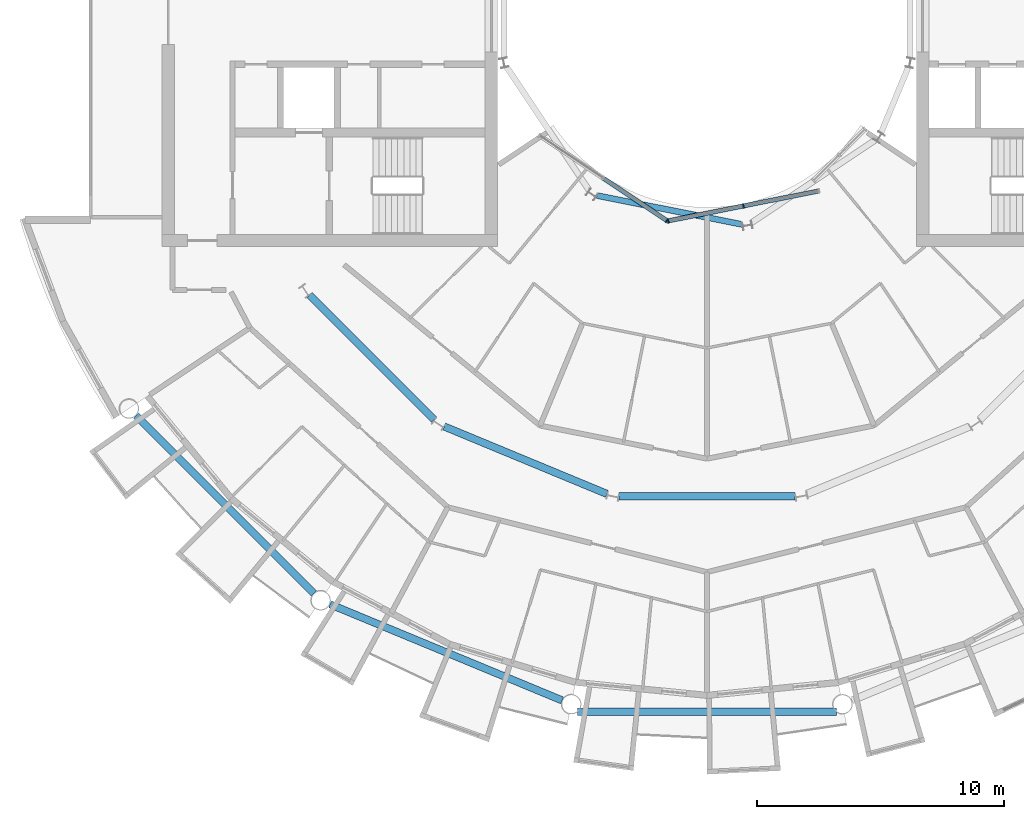
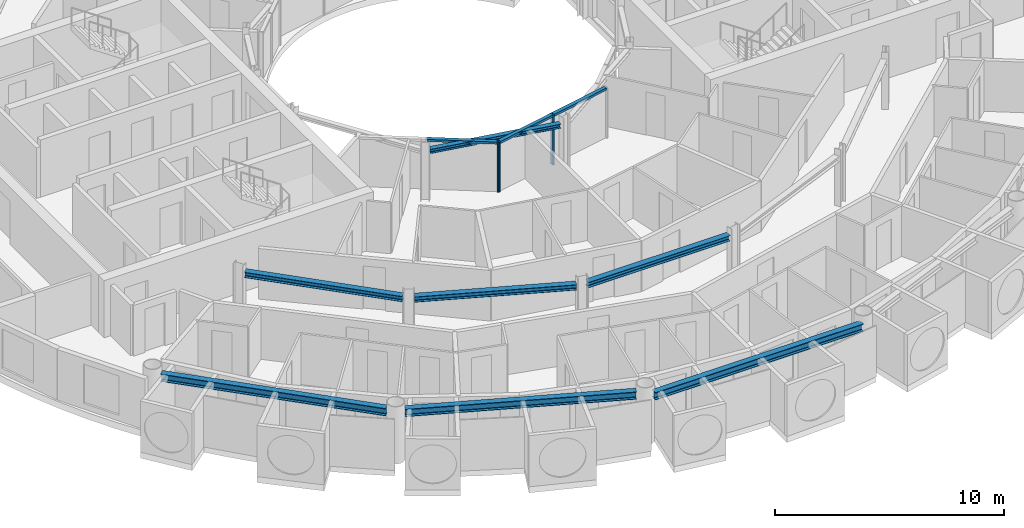
# One storey, part 5 of 27: 7 beams, 6 members, 2 elements without a shape of their own.
"""IFC4 building model written with IfcOpenShell, lengths in metres."""

from ifc_helpers import new_model, si_unit, direction, frame, origin, origin_2d, place, context, subcontext, project, spatial, rectangle, i_section, extrude, material, layer, layer_set, material_profile, profile_set, type_object, element, aggregate, save


model = new_model("IFC4")

# Units and contexts
model_context = context("Model", 3, precision=1e-05, world=origin(), true_north=direction((0.0, 1.0)))
body_context = subcontext(model_context, "Body", "Model", "MODEL_VIEW")
ifc_project = project(units=[si_unit("LENGTHUNIT", "METRE"), si_unit("AREAUNIT", "SQUARE_METRE"), si_unit("VOLUMEUNIT", "CUBIC_METRE"), si_unit("PLANEANGLEUNIT", "RADIAN"), si_unit("MASSUNIT", "GRAM", prefix="KILO")], contexts=[model_context])

# Site, building, storey
site_placement = place(None, origin())
site = spatial("IfcSite", under=ifc_project, at=site_placement, CompositionType="ELEMENT")
building_placement = place(site_placement, origin())
building = spatial("IfcBuilding", under=site, at=building_placement, Name="Maasbend Ring Residences", CompositionType="ELEMENT")
storey_placement = place(building_placement, frame((0.0, 0.0, 164.64990234375)))
storey = spatial("IfcBuildingStorey", under=building, at=storey_placement, Name="L47", CompositionType="ELEMENT", Elevation=164.64990234375)

# Curtain wall, member
ifc_material_1 = material(Name="Aluminium and clear glass", Category="aluminium")
ifc_layer = layer(ifc_material_1, 0.179931640625)
ifc_layer_set = layer_set([ifc_layer], Name="CW-W")
curtain_wall_type = type_object("IfcCurtainWallType", Name="CW-W", PredefinedType="NOTDEFINED", material=ifc_layer_set)
curtain_wall_1_placement = place(storey_placement, origin())
curtain_wall_1 = element("IfcCurtainWall", 1, at=curtain_wall_1_placement, inside=storey, type_object=curtain_wall_type, Name="Well curtain wall S1", PredefinedType="NOTDEFINED")
ifc_material_2 = material(Name="Aluminium 6063-T6", Category="aluminium")
ifc_material_profile_1 = material_profile(ifc_material_2, rectangle(XDim=0.179931640625, YDim=0.06005859375, at=origin_2d()), Name="AL 180x60")
ifc_profile_set_1 = profile_set([ifc_material_profile_1], Name="Aluminium 6063-T6")
member_type_1 = type_object("IfcMemberType", Name="CWM-W", PredefinedType="MULLION", material=ifc_profile_set_1)
member_1_placement = place(storey_placement, frame((-1.627685546875, -8.040771484375, 0.0), z_axis=(0.0, 0.0, 1.0), x_axis=(0.55557023302, 0.831469612303, 0.0)))
member_1 = element("IfcMember", 2, at=member_1_placement, type_object=member_type_1, Name="Mullion well face", PredefinedType="MULLION", context=body_context, shape_type="SweptSolid", body=[
    extrude(rectangle(XDim=0.179931640625, YDim=0.06005859375, at=origin_2d()), origin(), (0.0, 0.0, 1.0), 2.7001953125),
])

# Curtain wall, members
curtain_wall_2_placement = place(storey_placement, origin())
curtain_wall_2 = element("IfcCurtainWall", 3, at=curtain_wall_2_placement, inside=storey, type_object=curtain_wall_type, Name="Well curtain wall S2", PredefinedType="NOTDEFINED")
member_2_placement = place(storey_placement, frame((-1.5732421875, -8.0517578125, 0.0), z_axis=(0.0, 0.0, 1.0), x_axis=(-0.195090322016, 0.980785280403, 0.0)))
member_2 = element("IfcMember", 4, at=member_2_placement, type_object=member_type_1, Name="Mullion well face", PredefinedType="MULLION", context=body_context, shape_type="SweptSolid", body=[
    extrude(rectangle(XDim=0.179931640625, YDim=0.06005859375, at=origin_2d()), origin(), (0.0, 0.0, 1.0), 2.7001953125),
])
member_3_placement = place(storey_placement, frame((1.480712890625, -7.444091796875, 0.0), z_axis=(0.0, 0.0, 1.0), x_axis=(-0.195090322016, 0.980785280403, 0.0)))
member_3 = element("IfcMember", 5, at=member_3_placement, type_object=member_type_1, Name="Mullion well face", PredefinedType="MULLION", context=body_context, shape_type="SweptSolid", body=[
    extrude(rectangle(XDim=0.179931640625, YDim=0.06005859375, at=origin_2d()), origin(), (0.0, 0.0, 1.0), 2.7001953125),
])

# Member
ifc_material_3 = material(Name="Aluminium 6063-T6", Category="aluminium")
ifc_material_profile_2 = material_profile(ifc_material_3, rectangle(XDim=0.179931640625, YDim=0.1201171875, at=origin_2d()), Name="AL 180x120")
ifc_profile_set_2 = profile_set([ifc_material_profile_2], Name="Aluminium 6063-T6")
member_type_2 = type_object("IfcMemberType", Name="CWT-W", PredefinedType="USERDEFINED", material=ifc_profile_set_2)
member_4_placement = place(storey_placement, frame((-4.19189453125, -6.32763671875, 2.64013671875), z_axis=(0.831496422459, -0.555530106689, 0.0), x_axis=(0.555530106689, 0.831496422459, 0.0)))
member_4 = element("IfcMember", 6, at=member_4_placement, type_object=member_type_2, Name="Transom well face", ObjectType="TRANSOM", PredefinedType="USERDEFINED", context=body_context, shape_type="SweptSolid", body=[
    extrude(rectangle(XDim=0.179931640625, YDim=0.1201171875, at=origin_2d()), origin(), (0.0, 0.0, 1.0), 3.053955078125),
])

aggregate(curtain_wall_1, [member_1, member_4])

member_5_placement = place(storey_placement, frame((-1.5439453125, -8.0458984375, 2.64013671875), z_axis=(0.980776956105, 0.195132166424, 0.0), x_axis=(-0.195132166424, 0.980776956105, 0.0)))
member_5 = element("IfcMember", 7, at=member_5_placement, type_object=member_type_2, Name="Transom well face", ObjectType="TRANSOM", PredefinedType="USERDEFINED", context=body_context, shape_type="SweptSolid", body=[
    extrude(rectangle(XDim=0.179931640625, YDim=0.1201171875, at=origin_2d()), origin(), (0.0, 0.0, 1.0), 3.053955078125),
])

member_6_placement = place(storey_placement, frame((1.51025390625, -7.438232421875, 2.64013671875), z_axis=(0.980789210404, 0.19507056353, 0.0), x_axis=(-0.19507056353, 0.980789210404, 0.0)))
member_6 = element("IfcMember", 8, at=member_6_placement, type_object=member_type_2, Name="Transom well face", ObjectType="TRANSOM", PredefinedType="USERDEFINED", context=body_context, shape_type="SweptSolid", body=[
    extrude(rectangle(XDim=0.179931640625, YDim=0.1201171875, at=origin_2d()), origin(), (0.0, 0.0, 1.0), 3.0537109375),
])

aggregate(curtain_wall_2, [member_2, member_3, member_5, member_6])

# Beams
ifc_material_4 = material(Name="Steel S355J2", Category="steel")
ifc_material_profile_3 = material_profile(ifc_material_4, i_section(OverallWidth=0.300048828125, OverallDepth=0.2900390625, WebThickness=0.008544921875, FlangeThickness=0.013916015625, FilletRadius=0.027099609375, at=origin_2d()), Name="HEA 300")
ifc_profile_set_3 = profile_set([ifc_material_profile_3], Name="Steel S355J2")
beam_type_1 = type_object("IfcBeamType", Name="Corridor ring beam HEA 300", PredefinedType="BEAM", material=ifc_profile_set_3)
for number, where, z_axis, x_axis, name in (
    (9, (-16.11669921875, -11.0693359375, 2.55517578125), (0.707106781187, -0.707106781187, 0.0), (0.707106781187, 0.707106781187, 0.0), "Corridor ring beam"),
    (10, (-10.65380859375, -16.394287109375, 2.55517578125), (0.923871339849, -0.382703210602, 0.0), (0.382703210602, 0.923871339849, 0.0), "Corridor ring beam"),
):
    element("IfcBeam", number, at=place(storey_placement, frame(where, z_axis=z_axis, x_axis=x_axis)), inside=storey, type_object=beam_type_1, Name=name, PredefinedType="BEAM", context=body_context, shape_type="SweptSolid", body=[
        extrude(i_section(OverallWidth=0.300048828125, OverallDepth=0.2900390625, WebThickness=0.008544921875, FlangeThickness=0.013916015625, FilletRadius=0.027099609375, at=origin_2d()), origin(), (0.0, 0.0, 1.0), 7.137939453125),
    ])
beam_1_placement = place(storey_placement, frame((-3.56884765625, -19.223388671875, 2.55517578125), z_axis=(1.0, 0.0, 0.0), x_axis=(0.0, 1.0, 0.0)))
element("IfcBeam", 11, at=beam_1_placement, inside=storey, type_object=beam_type_1, Name="Corridor ring beam", PredefinedType="BEAM", context=body_context, shape_type="SweptSolid", body=[
    extrude(i_section(OverallWidth=0.300048828125, OverallDepth=0.2900390625, WebThickness=0.008544921875, FlangeThickness=0.013916015625, FilletRadius=0.027099609375, at=origin_2d()), origin(), (0.0, 0.0, 1.0), 7.1376953125),
])
ifc_material_5 = material(Name="Steel S355J2", Category="steel")
ifc_material_profile_4 = material_profile(ifc_material_5, i_section(OverallWidth=0.300048828125, OverallDepth=0.39990234375, WebThickness=0.013427734375, FlangeThickness=0.02392578125, FilletRadius=0.027099609375, at=origin_2d()), Name="HEB 400")
ifc_profile_set_4 = profile_set([ifc_material_profile_4], Name="Steel S355J2")
beam_type_2 = type_object("IfcBeamType", Name="Spandrel ring beam HEB 400", PredefinedType="SPANDREL", material=ifc_profile_set_4)
for number, where, z_axis, x_axis, name in (
    (12, (-23.159912109375, -15.95458984375, 2.5), (0.707106781187, -0.707106781187, 0.0), (0.707106781187, 0.707106781187, 0.0), "Spandrel ring beam"),
    (13, (-15.29150390625, -23.60302734375, 2.5), (0.923883676188, -0.382673428492, 0.0), (0.382673428492, 0.923883676188, 0.0), "Spandrel ring beam"),
):
    element("IfcBeam", number, at=place(storey_placement, frame(where, z_axis=z_axis, x_axis=x_axis)), inside=storey, type_object=beam_type_2, Name=name, PredefinedType="SPANDREL", context=body_context, shape_type="SweptSolid", body=[
        extrude(i_section(OverallWidth=0.300048828125, OverallDepth=0.39990234375, WebThickness=0.013427734375, FlangeThickness=0.02392578125, FilletRadius=0.027099609375, at=origin_2d()), origin(), (0.0, 0.0, 1.0), 10.18994140625),
    ])
beam_2_placement = place(storey_placement, frame((-5.2451171875, -27.9580078125, 2.5), z_axis=(1.0, 0.0, 0.0), x_axis=(0.0, 1.0, 0.0)))
element("IfcBeam", 14, at=beam_2_placement, inside=storey, type_object=beam_type_2, Name="Spandrel ring beam", PredefinedType="SPANDREL", context=body_context, shape_type="SweptSolid", body=[
    extrude(i_section(OverallWidth=0.300048828125, OverallDepth=0.39990234375, WebThickness=0.013427734375, FlangeThickness=0.02392578125, FilletRadius=0.027099609375, at=origin_2d()), origin(), (0.0, 0.0, 1.0), 10.490234375),
])
ifc_material_6 = material(Name="Steel S355J2", Category="steel")
ifc_material_profile_5 = material_profile(ifc_material_6, i_section(OverallWidth=0.239990234375, OverallDepth=0.22998046875, WebThickness=0.007568359375, FlangeThickness=0.011962890625, FilletRadius=0.02099609375, at=origin_2d()), Name="HEA 240")
ifc_profile_set_5 = profile_set([ifc_material_profile_5], Name="Steel S355J2")
beam_type_3 = type_object("IfcBeamType", Name="Well edge beam HEA 240", PredefinedType="BEAM", material=ifc_profile_set_5)
beam_3_placement = place(storey_placement, frame((-4.459716796875, -7.025390625, 2.585205078125), z_axis=(0.980778695042, -0.195123425945, 0.0), x_axis=(0.195123425945, 0.980778695042, 0.0)))
element("IfcBeam", 15, at=beam_3_placement, inside=storey, type_object=beam_type_3, Name="Well edge beam", PredefinedType="BEAM", context=body_context, shape_type="SweptSolid", body=[
    extrude(i_section(OverallWidth=0.239990234375, OverallDepth=0.22998046875, WebThickness=0.007568359375, FlangeThickness=0.011962890625, FilletRadius=0.02099609375, at=origin_2d()), origin(), (0.0, 0.0, 1.0), 6.007080078125),
])

save(model, "model.ifc")
